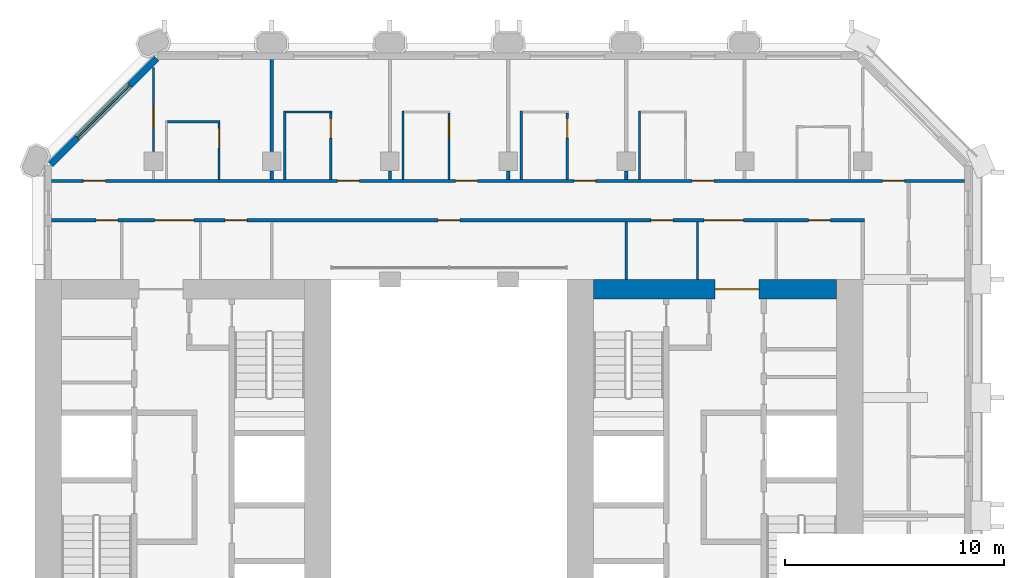
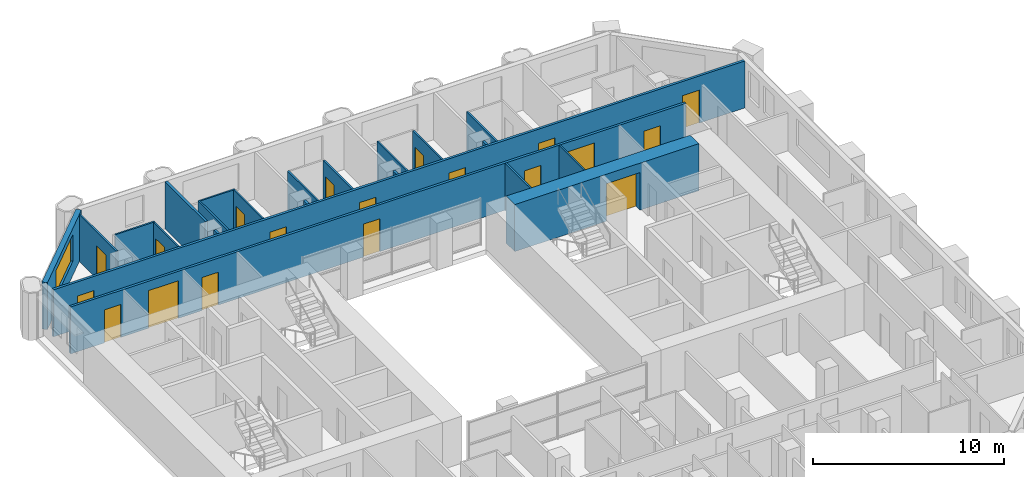
# One storey, part 10 of 13: 22 walls, 19 doors, 1 window, 20 openings.
"""IFC4 building model written with IfcOpenShell, lengths in metres."""

from ifc_helpers import new_model, si_unit, direction, frame, frame_2d, origin, place, context, subcontext, project, spatial, rectangle, extrude, material, layer, layer_set, type_object, element, fill, save


model = new_model("IFC4")

# Units and contexts
model_context = context("Model", 3, precision=1e-05, world=origin(), true_north=direction((0.0, 1.0)))
body_context = subcontext(model_context, "Body", "Model", "MODEL_VIEW")
ifc_project = project(units=[si_unit("LENGTHUNIT", "METRE"), si_unit("AREAUNIT", "SQUARE_METRE"), si_unit("VOLUMEUNIT", "CUBIC_METRE"), si_unit("PLANEANGLEUNIT", "RADIAN"), si_unit("MASSUNIT", "GRAM", prefix="KILO")], contexts=[model_context])

# Site, building, storey
site_placement = place(None, origin())
site = spatial("IfcSite", under=ifc_project, at=site_placement, CompositionType="ELEMENT")
building_placement = place(site_placement, origin())
building = spatial("IfcBuilding", under=site, at=building_placement, Name="Tabaq Tower and Sports Hall", CompositionType="ELEMENT")
storey_placement = place(building_placement, frame((0.0, 0.0, 159.39990234375)))
storey = spatial("IfcBuildingStorey", under=building, at=storey_placement, Name="L37", CompositionType="ELEMENT", Elevation=159.39990234375)

# Wall, opening, door
ifc_material_1 = material(Name="Concrete C50/60", Category="concrete")
ifc_layer_1 = layer(ifc_material_1, 0.89990234375)
ifc_layer_set_1 = layer_set([ifc_layer_1], Name="Core wall 900 Concrete C50/60")
wall_type_1 = type_object("IfcWallType", Name="Core wall 900 Concrete C50/60", PredefinedType="SOLIDWALL", material=ifc_layer_set_1)
wall_1_placement = place(storey_placement, frame((30.89990234375, 31.949951171875, 0.0), z_axis=(0.0, 0.0, 1.0), x_axis=(1.0, 0.0, 0.0)))
wall_1 = element("IfcWall", 1, at=wall_1_placement, inside=storey, type_object=wall_type_1, Name="Core wall E L37", PredefinedType="SOLIDWALL", context=body_context, shape_type="SweptSolid", body=[
    extrude(rectangle(XDim=11.10009765625, YDim=0.89990234375, at=frame_2d((5.550048828125, 0.0))), origin(), (0.0, 0.0, 1.0), 3.0),
])
opening_1_placement = place(wall_1_placement, frame((5.550048828125, 0.0, 0.0)))
opening_1 = element("IfcOpeningElement", 2, at=opening_1_placement, cuts=wall_1, Name="Opening PD-EL37-02", PredefinedType="OPENING", context=body_context, shape_type="SweptSolid", body=[
    extrude(rectangle(XDim=2.0, YDim=2.39990234375, at=frame_2d((1.0, 1.199951171875))), frame((0.0, 0.449951171875, 0.0), z_axis=(0.0, -1.0, 0.0), x_axis=(1.0, 0.0, 0.0)), (0.0, 0.0, 1.0), 0.89990234375),
])
ifc_material_2 = material(Name="Steel fire door", Category="steel")
door_type_1 = type_object("IfcDoorType", Name="Core entrance door 2000", OperationType="DOUBLE_DOOR_SINGLE_SWING", PredefinedType="DOOR", material=ifc_material_2)
door_1_placement = place(opening_1_placement, origin())
door_1 = element("IfcDoor", 3, at=door_1_placement, inside=storey, type_object=door_type_1, Name="Core entrance north E L37", OperationType="DOUBLE_DOOR_SINGLE_SWING", OverallHeight=2.39990234375, OverallWidth=2.0, PredefinedType="DOOR", context=body_context, shape_type="SweptSolid", body=[
    extrude(rectangle(XDim=2.0, YDim=2.39990234375, at=frame_2d((1.0, 1.199951171875))), frame((0.0, 0.02490234375, 0.0), z_axis=(0.0, -1.0, 0.0), x_axis=(1.0, 0.0, 0.0)), (0.0, 0.0, 1.0), 0.050048828125),
])
fill(opening_1, door_1)

ifc_material_3 = material(Name="Gypsum board on steel studs", Category="steel")
ifc_layer_2 = layer(ifc_material_3, 0.10009765625)
ifc_layer_set_2 = layer_set([ifc_layer_2], Name="Partition 100 Gypsum board")
wall_type_2 = type_object("IfcWallType", Name="Partition 100 Gypsum board", PredefinedType="PARTITIONING", material=ifc_layer_set_2)
wall_2_placement = place(storey_placement, frame((10.800048828125, 42.087890625, 0.0), z_axis=(0.0, 0.0, 1.0), x_axis=(0.0, -1.0, 0.0)))
wall_2 = element("IfcWall", 4, at=wall_2_placement, inside=storey, type_object=wall_type_2, Name="Partition wall L37", PredefinedType="PARTITIONING", context=body_context, shape_type="SweptSolid", body=[
    extrude(rectangle(XDim=3.8427734375, YDim=0.10009765625, at=frame_2d((1.92138671875, 0.0))), origin(), (0.0, 0.0, 1.0), 3.0),
])
opening_2_placement = place(wall_2_placement, frame((1.80029296875, 0.0, 0.0)))
opening_2 = element("IfcOpeningElement", 5, at=opening_2_placement, cuts=wall_2, Name="Opening L37-030", PredefinedType="OPENING", context=body_context, shape_type="SweptSolid", body=[
    extrude(rectangle(XDim=1.0, YDim=2.10009765625, at=frame_2d((0.5, 1.050048828125))), frame((0.0, 0.050048828125, 0.0), z_axis=(0.0, -1.0, 0.0), x_axis=(1.0, 0.0, 0.0)), (0.0, 0.0, 1.0), 0.10009765625),
])
ifc_material_4 = material(Name="Timber leaf in steel frame", Category="steel")
door_type_2 = type_object("IfcDoorType", Name="Internal door 1000 left hand", OperationType="SINGLE_SWING_LEFT", PredefinedType="DOOR", material=ifc_material_4)
door_2_placement = place(opening_2_placement, origin())
door_2 = element("IfcDoor", 6, at=door_2_placement, inside=storey, type_object=door_type_2, Name="Internal door L37-030", OperationType="SINGLE_SWING_LEFT", OverallHeight=2.10009765625, OverallWidth=1.0, PredefinedType="DOOR", context=body_context, shape_type="SweptSolid", body=[
    extrude(rectangle(XDim=1.0, YDim=2.10009765625, at=frame_2d((0.5, 1.050048828125))), frame((0.0, 0.02490234375, 0.0), z_axis=(0.0, -1.0, 0.0), x_axis=(1.0, 0.0, 0.0)), (0.0, 0.0, 1.0), 0.050048828125),
])
fill(opening_2, door_2)

# Wall
wall_3_placement = place(storey_placement, frame((11.449951171875, 39.60009765625, 0.0), z_axis=(0.0, 0.0, 1.0), x_axis=(1.0, 0.0, 0.0)))
element("IfcWall", 7, at=wall_3_placement, inside=storey, type_object=wall_type_2, Name="Partition wall L37", PredefinedType="PARTITIONING", context=body_context, shape_type="SweptSolid", body=[
    extrude(rectangle(XDim=2.400146484375, YDim=0.10009765625, at=frame_2d((1.2001953125, 0.0))), origin(), (0.0, 0.0, 1.0), 3.0),
])

# Wall, opening, door
wall_4_placement = place(storey_placement, frame((13.800048828125, 39.550048828125, 0.0), z_axis=(0.0, 0.0, 1.0), x_axis=(0.0, -1.0, 0.0)))
wall_4 = element("IfcWall", 8, at=wall_4_placement, inside=storey, type_object=wall_type_2, Name="Partition wall L37", PredefinedType="PARTITIONING", context=body_context, shape_type="SweptSolid", body=[
    extrude(rectangle(XDim=2.574951171875, YDim=0.10009765625, at=frame_2d((1.28759765625, 0.0))), origin(), (0.0, 0.0, 1.0), 3.0),
])
opening_3_placement = place(wall_4_placement, frame((0.25, 0.0, 0.0)))
opening_3 = element("IfcOpeningElement", 9, at=opening_3_placement, cuts=wall_4, Name="Opening L37-002", PredefinedType="OPENING", context=body_context, shape_type="SweptSolid", body=[
    extrude(rectangle(XDim=0.89990234375, YDim=2.10009765625, at=frame_2d((0.449951171875, 1.050048828125))), frame((0.0, 0.050048828125, 0.0), z_axis=(0.0, -1.0, 0.0), x_axis=(1.0, 0.0, 0.0)), (0.0, 0.0, 1.0), 0.10009765625),
])
ifc_material_5 = material(Name="Timber leaf in steel frame", Category="steel")
door_type_3 = type_object("IfcDoorType", Name="Internal door 900 left hand", OperationType="SINGLE_SWING_LEFT", PredefinedType="DOOR", material=ifc_material_5)
door_3_placement = place(opening_3_placement, origin())
door_3 = element("IfcDoor", 10, at=door_3_placement, inside=storey, type_object=door_type_3, Name="Internal door L37-002", OperationType="SINGLE_SWING_LEFT", OverallHeight=2.10009765625, OverallWidth=0.89990234375, PredefinedType="DOOR", context=body_context, shape_type="SweptSolid", body=[
    extrude(rectangle(XDim=0.89990234375, YDim=2.10009765625, at=frame_2d((0.449951171875, 1.050048828125))), frame((0.0, 0.02490234375, 0.0), z_axis=(0.0, -1.0, 0.0), x_axis=(1.0, 0.0, 0.0)), (0.0, 0.0, 1.0), 0.050048828125),
])
fill(opening_3, door_3)

# Walls
wall_5_placement = place(storey_placement, frame((16.800048828125, 36.97509765625, 0.0), z_axis=(0.0, 0.0, 1.0), x_axis=(0.0, 1.0, 0.0)))
element("IfcWall", 11, at=wall_5_placement, inside=storey, type_object=wall_type_2, Name="Partition wall L37", PredefinedType="PARTITIONING", context=body_context, shape_type="SweptSolid", body=[
    extrude(rectangle(XDim=3.125, YDim=0.10009765625, at=frame_2d((1.5625, 0.0))), origin(), (0.0, 0.0, 1.0), 3.0),
])
wall_6_placement = place(storey_placement, frame((16.85009765625, 40.050048828125, 0.0), z_axis=(0.0, 0.0, 1.0), x_axis=(1.0, 0.0, 0.0)))
element("IfcWall", 12, at=wall_6_placement, inside=storey, type_object=wall_type_2, Name="Partition wall L37", PredefinedType="PARTITIONING", context=body_context, shape_type="SweptSolid", body=[
    extrude(rectangle(XDim=2.099853515625, YDim=0.10009765625, at=frame_2d((1.0498046875, 0.0))), origin(), (0.0, 0.0, 1.0), 3.0),
])

# Wall, opening, door
wall_7_placement = place(storey_placement, frame((18.89990234375, 40.0, 0.0), z_axis=(0.0, 0.0, 1.0), x_axis=(0.0, -1.0, 0.0)))
wall_7 = element("IfcWall", 13, at=wall_7_placement, inside=storey, type_object=wall_type_2, Name="Partition wall L37", PredefinedType="PARTITIONING", context=body_context, shape_type="SweptSolid", body=[
    extrude(rectangle(XDim=3.02490234375, YDim=0.10009765625, at=frame_2d((1.512451171875, 0.0))), origin(), (0.0, 0.0, 1.0), 3.0),
])
opening_4_placement = place(wall_7_placement, frame((0.25, 0.0, 0.0)))
opening_4 = element("IfcOpeningElement", 14, at=opening_4_placement, cuts=wall_7, Name="Opening L37-003", PredefinedType="OPENING", context=body_context, shape_type="SweptSolid", body=[
    extrude(rectangle(XDim=0.89990234375, YDim=2.10009765625, at=frame_2d((0.449951171875, 1.050048828125))), frame((0.0, 0.050048828125, 0.0), z_axis=(0.0, -1.0, 0.0), x_axis=(1.0, 0.0, 0.0)), (0.0, 0.0, 1.0), 0.10009765625),
])
door_4_placement = place(opening_4_placement, origin())
door_4 = element("IfcDoor", 15, at=door_4_placement, inside=storey, type_object=door_type_3, Name="Internal door L37-003", OperationType="SINGLE_SWING_LEFT", OverallHeight=2.10009765625, OverallWidth=0.89990234375, PredefinedType="DOOR", context=body_context, shape_type="SweptSolid", body=[
    extrude(rectangle(XDim=0.89990234375, YDim=2.10009765625, at=frame_2d((0.449951171875, 1.050048828125))), frame((0.0, 0.02490234375, 0.0), z_axis=(0.0, -1.0, 0.0), x_axis=(1.0, 0.0, 0.0)), (0.0, 0.0, 1.0), 0.050048828125),
])
fill(opening_4, door_4)

# Wall
wall_8_placement = place(storey_placement, frame((22.199951171875, 36.97509765625, 0.0), z_axis=(0.0, 0.0, 1.0), x_axis=(0.0, 1.0, 0.0)))
element("IfcWall", 16, at=wall_8_placement, inside=storey, type_object=wall_type_2, Name="Partition wall L37", PredefinedType="PARTITIONING", context=body_context, shape_type="SweptSolid", body=[
    extrude(rectangle(XDim=3.125, YDim=0.10009765625, at=frame_2d((1.5625, 0.0))), origin(), (0.0, 0.0, 1.0), 3.0),
])

# Wall, opening, door
wall_9_placement = place(storey_placement, frame((24.300048828125, 40.0, 0.0), z_axis=(0.0, 0.0, 1.0), x_axis=(0.0, -1.0, 0.0)))
wall_9 = element("IfcWall", 17, at=wall_9_placement, inside=storey, type_object=wall_type_2, Name="Partition wall L37", PredefinedType="PARTITIONING", context=body_context, shape_type="SweptSolid", body=[
    extrude(rectangle(XDim=3.02490234375, YDim=0.10009765625, at=frame_2d((1.512451171875, 0.0))), origin(), (0.0, 0.0, 1.0), 3.0),
])
opening_5_placement = place(wall_9_placement, frame((0.25, 0.0, 0.0)))
opening_5 = element("IfcOpeningElement", 18, at=opening_5_placement, cuts=wall_9, Name="Opening L37-004", PredefinedType="OPENING", context=body_context, shape_type="SweptSolid", body=[
    extrude(rectangle(XDim=0.89990234375, YDim=2.10009765625, at=frame_2d((0.449951171875, 1.050048828125))), frame((0.0, 0.050048828125, 0.0), z_axis=(0.0, -1.0, 0.0), x_axis=(1.0, 0.0, 0.0)), (0.0, 0.0, 1.0), 0.10009765625),
])
ifc_material_6 = material(Name="Timber leaf in steel frame", Category="steel")
door_type_4 = type_object("IfcDoorType", Name="Internal door 900 right hand", OperationType="SINGLE_SWING_RIGHT", PredefinedType="DOOR", material=ifc_material_6)
door_5_placement = place(opening_5_placement, origin())
door_5 = element("IfcDoor", 19, at=door_5_placement, inside=storey, type_object=door_type_4, Name="Internal door L37-004", OperationType="SINGLE_SWING_RIGHT", OverallHeight=2.10009765625, OverallWidth=0.89990234375, PredefinedType="DOOR", context=body_context, shape_type="SweptSolid", body=[
    extrude(rectangle(XDim=0.89990234375, YDim=2.10009765625, at=frame_2d((0.449951171875, 1.050048828125))), frame((0.0, 0.02490234375, 0.0), z_axis=(0.0, -1.0, 0.0), x_axis=(1.0, 0.0, 0.0)), (0.0, 0.0, 1.0), 0.050048828125),
])
fill(opening_5, door_5)

# Wall
wall_10_placement = place(storey_placement, frame((27.60009765625, 36.97509765625, 0.0), z_axis=(0.0, 0.0, 1.0), x_axis=(0.0, 1.0, 0.0)))
element("IfcWall", 20, at=wall_10_placement, inside=storey, type_object=wall_type_2, Name="Partition wall L37", PredefinedType="PARTITIONING", context=body_context, shape_type="SweptSolid", body=[
    extrude(rectangle(XDim=3.125, YDim=0.10009765625, at=frame_2d((1.5625, 0.0))), origin(), (0.0, 0.0, 1.0), 3.0),
])

# Wall, opening, door
wall_11_placement = place(storey_placement, frame((29.699951171875, 40.0, 0.0), z_axis=(0.0, 0.0, 1.0), x_axis=(0.0, -1.0, 0.0)))
wall_11 = element("IfcWall", 21, at=wall_11_placement, inside=storey, type_object=wall_type_2, Name="Partition wall L37", PredefinedType="PARTITIONING", context=body_context, shape_type="SweptSolid", body=[
    extrude(rectangle(XDim=3.02490234375, YDim=0.10009765625, at=frame_2d((1.512451171875, 0.0))), origin(), (0.0, 0.0, 1.0), 3.0),
])
opening_6_placement = place(wall_11_placement, frame((0.25, 0.0, 0.0)))
opening_6 = element("IfcOpeningElement", 22, at=opening_6_placement, cuts=wall_11, Name="Opening L37-005", PredefinedType="OPENING", context=body_context, shape_type="SweptSolid", body=[
    extrude(rectangle(XDim=0.89990234375, YDim=2.10009765625, at=frame_2d((0.449951171875, 1.050048828125))), frame((0.0, 0.050048828125, 0.0), z_axis=(0.0, -1.0, 0.0), x_axis=(1.0, 0.0, 0.0)), (0.0, 0.0, 1.0), 0.10009765625),
])
door_6_placement = place(opening_6_placement, origin())
door_6 = element("IfcDoor", 23, at=door_6_placement, inside=storey, type_object=door_type_4, Name="Internal door L37-005", OperationType="SINGLE_SWING_RIGHT", OverallHeight=2.10009765625, OverallWidth=0.89990234375, PredefinedType="DOOR", context=body_context, shape_type="SweptSolid", body=[
    extrude(rectangle(XDim=0.89990234375, YDim=2.10009765625, at=frame_2d((0.449951171875, 1.050048828125))), frame((0.0, 0.02490234375, 0.0), z_axis=(0.0, -1.0, 0.0), x_axis=(1.0, 0.0, 0.0)), (0.0, 0.0, 1.0), 0.050048828125),
])
fill(opening_6, door_6)

# Walls
wall_12_placement = place(storey_placement, frame((33.0, 36.97509765625, 0.0), z_axis=(0.0, 0.0, 1.0), x_axis=(0.0, 1.0, 0.0)))
element("IfcWall", 24, at=wall_12_placement, inside=storey, type_object=wall_type_2, Name="Partition wall L37", PredefinedType="PARTITIONING", context=body_context, shape_type="SweptSolid", body=[
    extrude(rectangle(XDim=3.125, YDim=0.10009765625, at=frame_2d((1.5625, 0.0))), origin(), (0.0, 0.0, 1.0), 3.0),
])
for number, where, z_axis, x_axis, name in (
    (25, (32.39990234375, 32.39990234375, 0.0), (0.0, 0.0, 1.0), (0.0, 1.0, 0.0), "Partition wall L37"),
    (26, (35.64990234375, 35.02490234375, 0.0), (0.0, 0.0, 1.0), (0.0, -1.0, 0.0), "Partition wall L37"),
):
    element("IfcWall", number, at=place(storey_placement, frame(where, z_axis=z_axis, x_axis=x_axis)), inside=storey, type_object=wall_type_2, Name=name, PredefinedType="PARTITIONING", context=body_context, shape_type="SweptSolid", body=[
        extrude(rectangle(XDim=2.625, YDim=0.10009765625, at=frame_2d((1.3125, 0.0))), origin(), (0.0, 0.0, 1.0), 3.0),
    ])
ifc_material_7 = material(Name="Blockwork", Category="masonry")
ifc_layer_3 = layer(ifc_material_7, 0.14990234375)
ifc_layer_set_3 = layer_set([ifc_layer_3], Name="Separating wall 150 Blockwork")
wall_type_3 = type_object("IfcWallType", Name="Separating wall 150 Blockwork", PredefinedType="PARTITIONING", material=ifc_layer_set_3)
wall_13_placement = place(storey_placement, frame((16.199951171875, 36.97509765625, 0.0), z_axis=(0.0, 0.0, 1.0), x_axis=(0.0, 1.0, 0.0)))
element("IfcWall", 27, at=wall_13_placement, inside=storey, type_object=wall_type_3, Name="Separating wall L37", PredefinedType="PARTITIONING", context=body_context, shape_type="SweptSolid", body=[
    extrude(rectangle(XDim=0.3798828125, YDim=0.14990234375, at=frame_2d((0.18994140625, 0.0))), origin(), (0.0, 0.0, 1.0), 3.0),
])
wall_14_placement = place(storey_placement, frame((16.199951171875, 38.2451171875, 0.0), z_axis=(0.0, 0.0, 1.0), x_axis=(0.0, 1.0, 0.0)))
element("IfcWall", 28, at=wall_14_placement, inside=storey, type_object=wall_type_3, Name="Separating wall L37", PredefinedType="PARTITIONING", context=body_context, shape_type="SweptSolid", body=[
    extrude(rectangle(XDim=4.203857421875, YDim=0.14990234375, at=frame_2d((2.10205078125, 0.0))), origin(), (0.0, 0.0, 1.0), 3.0),
])
for number, where, z_axis, x_axis, name in (
    (29, (21.60009765625, 36.97509765625, 0.0), (0.0, 0.0, 1.0), (0.0, 1.0, 0.0), "Separating wall L37"),
    (30, (27.0, 36.97509765625, 0.0), (0.0, 0.0, 1.0), (0.0, 1.0, 0.0), "Separating wall L37"),
    (31, (32.39990234375, 36.97509765625, 0.0), (0.0, 0.0, 1.0), (0.0, 1.0, 0.0), "Separating wall L37"),
):
    element("IfcWall", number, at=place(storey_placement, frame(where, z_axis=z_axis, x_axis=x_axis)), inside=storey, type_object=wall_type_3, Name=name, PredefinedType="PARTITIONING", context=body_context, shape_type="SweptSolid", body=[
        extrude(rectangle(XDim=0.3798828125, YDim=0.14990234375, at=frame_2d((0.18994140625, 0.0))), origin(), (0.0, 0.0, 1.0), 3.0),
    ])

# Wall, openings, doors
wall_15_placement = place(storey_placement, frame((47.84912109375, 36.89990234375, 0.0), z_axis=(0.0, 0.0, 1.0), x_axis=(-1.0, 0.0, 0.0)))
wall_15 = element("IfcWall", 32, at=wall_15_placement, inside=storey, type_object=wall_type_3, Name="Separating wall L37", PredefinedType="PARTITIONING", context=body_context, shape_type="SweptSolid", body=[
    extrude(rectangle(XDim=41.6982421875, YDim=0.14990234375, at=frame_2d((20.84912109375, 0.0))), origin(), (0.0, 0.0, 1.0), 3.0),
])
opening_7_placement = place(wall_15_placement, frame((39.2490234375, 0.0, 0.0)))
opening_7 = element("IfcOpeningElement", 33, at=opening_7_placement, cuts=wall_15, Name="Opening L37-031", PredefinedType="OPENING", context=body_context, shape_type="SweptSolid", body=[
    extrude(rectangle(XDim=1.0, YDim=2.10009765625, at=frame_2d((0.5, 1.050048828125))), frame((0.0, 0.074951171875, 0.0), z_axis=(0.0, -1.0, 0.0), x_axis=(1.0, 0.0, 0.0)), (0.0, 0.0, 1.0), 0.14990234375),
])
opening_8_placement = place(wall_15_placement, frame((27.64892578125, 0.0, 0.0)))
opening_8 = element("IfcOpeningElement", 34, at=opening_8_placement, cuts=wall_15, Name="Opening L37-032", PredefinedType="OPENING", context=body_context, shape_type="SweptSolid", body=[
    extrude(rectangle(XDim=1.0, YDim=2.10009765625, at=frame_2d((0.5, 1.050048828125))), frame((0.0, 0.074951171875, 0.0), z_axis=(0.0, -1.0, 0.0), x_axis=(1.0, 0.0, 0.0)), (0.0, 0.0, 1.0), 0.14990234375),
])
opening_9_placement = place(wall_15_placement, frame((22.2490234375, 0.0, 0.0)))
opening_9 = element("IfcOpeningElement", 35, at=opening_9_placement, cuts=wall_15, Name="Opening L37-033", PredefinedType="OPENING", context=body_context, shape_type="SweptSolid", body=[
    extrude(rectangle(XDim=1.0, YDim=2.10009765625, at=frame_2d((0.5, 1.050048828125))), frame((0.0, 0.074951171875, 0.0), z_axis=(0.0, -1.0, 0.0), x_axis=(1.0, 0.0, 0.0)), (0.0, 0.0, 1.0), 0.14990234375),
])
opening_10_placement = place(wall_15_placement, frame((16.84912109375, 0.0, 0.0)))
opening_10 = element("IfcOpeningElement", 36, at=opening_10_placement, cuts=wall_15, Name="Opening L37-034", PredefinedType="OPENING", context=body_context, shape_type="SweptSolid", body=[
    extrude(rectangle(XDim=1.0, YDim=2.10009765625, at=frame_2d((0.5, 1.050048828125))), frame((0.0, 0.074951171875, 0.0), z_axis=(0.0, -1.0, 0.0), x_axis=(1.0, 0.0, 0.0)), (0.0, 0.0, 1.0), 0.14990234375),
])
opening_11_placement = place(wall_15_placement, frame((11.448974609375, 0.0, 0.0)))
opening_11 = element("IfcOpeningElement", 37, at=opening_11_placement, cuts=wall_15, Name="Opening L37-035", PredefinedType="OPENING", context=body_context, shape_type="SweptSolid", body=[
    extrude(rectangle(XDim=1.0, YDim=2.10009765625, at=frame_2d((0.5, 1.050048828125))), frame((0.0, 0.074951171875, 0.0), z_axis=(0.0, -1.0, 0.0), x_axis=(1.0, 0.0, 0.0)), (0.0, 0.0, 1.0), 0.14990234375),
])
opening_12_placement = place(wall_15_placement, frame((2.743896484375, 0.0, 0.0)))
opening_12 = element("IfcOpeningElement", 38, at=opening_12_placement, cuts=wall_15, Name="Opening L37-037", PredefinedType="OPENING", context=body_context, shape_type="SweptSolid", body=[
    extrude(rectangle(XDim=1.0, YDim=2.10009765625, at=frame_2d((0.5, 1.050048828125))), frame((0.0, 0.074951171875, 0.0), z_axis=(0.0, -1.0, 0.0), x_axis=(1.0, 0.0, 0.0)), (0.0, 0.0, 1.0), 0.14990234375),
])
ifc_material_8 = material(Name="Steel fire door", Category="steel")
door_type_5 = type_object("IfcDoorType", Name="Entrance door 1000 left hand", OperationType="SINGLE_SWING_LEFT", PredefinedType="DOOR", material=ifc_material_8)
door_7_placement = place(opening_10_placement, origin())
door_7 = element("IfcDoor", 39, at=door_7_placement, inside=storey, type_object=door_type_5, Name="Entrance door L37-034", OperationType="SINGLE_SWING_LEFT", OverallHeight=2.10009765625, OverallWidth=1.0, PredefinedType="DOOR", context=body_context, shape_type="SweptSolid", body=[
    extrude(rectangle(XDim=1.0, YDim=2.10009765625, at=frame_2d((0.5, 1.050048828125))), frame((0.0, 0.02490234375, 0.0), z_axis=(0.0, -1.0, 0.0), x_axis=(1.0, 0.0, 0.0)), (0.0, 0.0, 1.0), 0.050048828125),
])
fill(opening_10, door_7)
door_8_placement = place(opening_11_placement, origin())
door_8 = element("IfcDoor", 40, at=door_8_placement, inside=storey, type_object=door_type_5, Name="Entrance door L37-035", OperationType="SINGLE_SWING_LEFT", OverallHeight=2.10009765625, OverallWidth=1.0, PredefinedType="DOOR", context=body_context, shape_type="SweptSolid", body=[
    extrude(rectangle(XDim=1.0, YDim=2.10009765625, at=frame_2d((0.5, 1.050048828125))), frame((0.0, 0.02490234375, 0.0), z_axis=(0.0, -1.0, 0.0), x_axis=(1.0, 0.0, 0.0)), (0.0, 0.0, 1.0), 0.050048828125),
])
fill(opening_11, door_8)
door_9_placement = place(opening_12_placement, origin())
door_9 = element("IfcDoor", 41, at=door_9_placement, inside=storey, type_object=door_type_5, Name="Entrance door L37-037", OperationType="SINGLE_SWING_LEFT", OverallHeight=2.10009765625, OverallWidth=1.0, PredefinedType="DOOR", context=body_context, shape_type="SweptSolid", body=[
    extrude(rectangle(XDim=1.0, YDim=2.10009765625, at=frame_2d((0.5, 1.050048828125))), frame((0.0, 0.02490234375, 0.0), z_axis=(0.0, -1.0, 0.0), x_axis=(1.0, 0.0, 0.0)), (0.0, 0.0, 1.0), 0.050048828125),
])
fill(opening_12, door_9)
ifc_material_9 = material(Name="Steel fire door", Category="steel")
door_type_6 = type_object("IfcDoorType", Name="Entrance door 1000 right hand", OperationType="SINGLE_SWING_RIGHT", PredefinedType="DOOR", material=ifc_material_9)
door_10_placement = place(opening_7_placement, origin())
door_10 = element("IfcDoor", 42, at=door_10_placement, inside=storey, type_object=door_type_6, Name="Entrance door L37-031", OperationType="SINGLE_SWING_RIGHT", OverallHeight=2.10009765625, OverallWidth=1.0, PredefinedType="DOOR", context=body_context, shape_type="SweptSolid", body=[
    extrude(rectangle(XDim=1.0, YDim=2.10009765625, at=frame_2d((0.5, 1.050048828125))), frame((0.0, 0.02490234375, 0.0), z_axis=(0.0, -1.0, 0.0), x_axis=(1.0, 0.0, 0.0)), (0.0, 0.0, 1.0), 0.050048828125),
])
fill(opening_7, door_10)
door_11_placement = place(opening_8_placement, origin())
door_11 = element("IfcDoor", 43, at=door_11_placement, inside=storey, type_object=door_type_6, Name="Entrance door L37-032", OperationType="SINGLE_SWING_RIGHT", OverallHeight=2.10009765625, OverallWidth=1.0, PredefinedType="DOOR", context=body_context, shape_type="SweptSolid", body=[
    extrude(rectangle(XDim=1.0, YDim=2.10009765625, at=frame_2d((0.5, 1.050048828125))), frame((0.0, 0.02490234375, 0.0), z_axis=(0.0, -1.0, 0.0), x_axis=(1.0, 0.0, 0.0)), (0.0, 0.0, 1.0), 0.050048828125),
])
fill(opening_8, door_11)
door_12_placement = place(opening_9_placement, origin())
door_12 = element("IfcDoor", 44, at=door_12_placement, inside=storey, type_object=door_type_6, Name="Entrance door L37-033", OperationType="SINGLE_SWING_RIGHT", OverallHeight=2.10009765625, OverallWidth=1.0, PredefinedType="DOOR", context=body_context, shape_type="SweptSolid", body=[
    extrude(rectangle(XDim=1.0, YDim=2.10009765625, at=frame_2d((0.5, 1.050048828125))), frame((0.0, 0.02490234375, 0.0), z_axis=(0.0, -1.0, 0.0), x_axis=(1.0, 0.0, 0.0)), (0.0, 0.0, 1.0), 0.050048828125),
])
fill(opening_9, door_12)

wall_16_placement = place(storey_placement, frame((43.27490234375, 35.10009765625, 0.0), z_axis=(0.0, 0.0, 1.0), x_axis=(-1.0, 0.0, 0.0)))
wall_16 = element("IfcWall", 45, at=wall_16_placement, inside=storey, type_object=wall_type_3, Name="Separating wall L37", PredefinedType="PARTITIONING", context=body_context, shape_type="SweptSolid", body=[
    extrude(rectangle(XDim=37.1240234375, YDim=0.14990234375, at=frame_2d((18.56201171875, 0.0))), origin(), (0.0, 0.0, 1.0), 3.0),
])
opening_13_placement = place(wall_16_placement, frame((18.47509765625, 0.0, 0.0)))
opening_13 = element("IfcOpeningElement", 46, at=opening_13_placement, cuts=wall_16, Name="Opening L37-008", PredefinedType="OPENING", context=body_context, shape_type="SweptSolid", body=[
    extrude(rectangle(XDim=1.0, YDim=2.10009765625, at=frame_2d((0.5, 1.050048828125))), frame((0.0, 0.074951171875, 0.0), z_axis=(0.0, -1.0, 0.0), x_axis=(1.0, 0.0, 0.0)), (0.0, 0.0, 1.0), 0.14990234375),
])
opening_14_placement = place(wall_16_placement, frame((34.094970703125, 0.0, 0.0)))
opening_14 = element("IfcOpeningElement", 47, at=opening_14_placement, cuts=wall_16, Name="Opening L37-010", PredefinedType="OPENING", context=body_context, shape_type="SweptSolid", body=[
    extrude(rectangle(XDim=1.0, YDim=2.10009765625, at=frame_2d((0.5, 1.050048828125))), frame((0.0, 0.074951171875, 0.0), z_axis=(0.0, -1.0, 0.0), x_axis=(1.0, 0.0, 0.0)), (0.0, 0.0, 1.0), 0.14990234375),
])
opening_15_placement = place(wall_16_placement, frame((8.75, 0.0, 0.0)))
opening_15 = element("IfcOpeningElement", 48, at=opening_15_placement, cuts=wall_16, Name="Opening L37-011", PredefinedType="OPENING", context=body_context, shape_type="SweptSolid", body=[
    extrude(rectangle(XDim=1.0, YDim=2.10009765625, at=frame_2d((0.5, 1.050048828125))), frame((0.0, 0.074951171875, 0.0), z_axis=(0.0, -1.0, 0.0), x_axis=(1.0, 0.0, 0.0)), (0.0, 0.0, 1.0), 0.14990234375),
])
opening_16_placement = place(wall_16_placement, frame((1.550048828125, 0.0, 0.0)))
opening_16 = element("IfcOpeningElement", 49, at=opening_16_placement, cuts=wall_16, Name="Opening L37-012", PredefinedType="OPENING", context=body_context, shape_type="SweptSolid", body=[
    extrude(rectangle(XDim=1.0, YDim=2.10009765625, at=frame_2d((0.5, 1.050048828125))), frame((0.0, 0.074951171875, 0.0), z_axis=(0.0, -1.0, 0.0), x_axis=(1.0, 0.0, 0.0)), (0.0, 0.0, 1.0), 0.14990234375),
])
opening_17_placement = place(wall_16_placement, frame((28.199951171875, 0.0, 0.0)))
opening_17 = element("IfcOpeningElement", 50, at=opening_17_placement, cuts=wall_16, Name="Opening L37-013", PredefinedType="OPENING", context=body_context, shape_type="SweptSolid", body=[
    extrude(rectangle(XDim=1.0, YDim=2.10009765625, at=frame_2d((0.5, 1.050048828125))), frame((0.0, 0.074951171875, 0.0), z_axis=(0.0, -1.0, 0.0), x_axis=(1.0, 0.0, 0.0)), (0.0, 0.0, 1.0), 0.14990234375),
])
opening_18_placement = place(wall_16_placement, frame((30.625, 0.0, 0.0)))
opening_18 = element("IfcOpeningElement", 51, at=opening_18_placement, cuts=wall_16, Name="Opening L37-039", PredefinedType="OPENING", context=body_context, shape_type="SweptSolid", body=[
    extrude(rectangle(XDim=1.800048828125, YDim=2.39990234375, at=frame_2d((0.89990234375, 1.199951171875))), frame((0.0, 0.074951171875, 0.0), z_axis=(0.0, -1.0, 0.0), x_axis=(1.0, 0.0, 0.0)), (0.0, 0.0, 1.0), 0.14990234375),
])
opening_19_placement = place(wall_16_placement, frame((5.52490234375, 0.0, 0.0)))
opening_19 = element("IfcOpeningElement", 52, at=opening_19_placement, cuts=wall_16, Name="Opening L37-040", PredefinedType="OPENING", context=body_context, shape_type="SweptSolid", body=[
    extrude(rectangle(XDim=1.800048828125, YDim=2.39990234375, at=frame_2d((0.89990234375, 1.199951171875))), frame((0.0, 0.074951171875, 0.0), z_axis=(0.0, -1.0, 0.0), x_axis=(1.0, 0.0, 0.0)), (0.0, 0.0, 1.0), 0.14990234375),
])
door_13_placement = place(opening_14_placement, origin())
door_13 = element("IfcDoor", 53, at=door_13_placement, inside=storey, type_object=door_type_2, Name="Internal door L37-010", OperationType="SINGLE_SWING_LEFT", OverallHeight=2.10009765625, OverallWidth=1.0, PredefinedType="DOOR", context=body_context, shape_type="SweptSolid", body=[
    extrude(rectangle(XDim=1.0, YDim=2.10009765625, at=frame_2d((0.5, 1.050048828125))), frame((0.0, 0.02490234375, 0.0), z_axis=(0.0, -1.0, 0.0), x_axis=(1.0, 0.0, 0.0)), (0.0, 0.0, 1.0), 0.050048828125),
])
fill(opening_14, door_13)
door_14_placement = place(opening_15_placement, origin())
door_14 = element("IfcDoor", 54, at=door_14_placement, inside=storey, type_object=door_type_2, Name="Internal door L37-011", OperationType="SINGLE_SWING_LEFT", OverallHeight=2.10009765625, OverallWidth=1.0, PredefinedType="DOOR", context=body_context, shape_type="SweptSolid", body=[
    extrude(rectangle(XDim=1.0, YDim=2.10009765625, at=frame_2d((0.5, 1.050048828125))), frame((0.0, 0.02490234375, 0.0), z_axis=(0.0, -1.0, 0.0), x_axis=(1.0, 0.0, 0.0)), (0.0, 0.0, 1.0), 0.050048828125),
])
fill(opening_15, door_14)
ifc_material_10 = material(Name="Timber leaf in steel frame", Category="steel")
door_type_7 = type_object("IfcDoorType", Name="Internal door 1000 right hand", OperationType="SINGLE_SWING_RIGHT", PredefinedType="DOOR", material=ifc_material_10)
door_15_placement = place(opening_13_placement, origin())
door_15 = element("IfcDoor", 55, at=door_15_placement, inside=storey, type_object=door_type_7, Name="Internal door L37-008", OperationType="SINGLE_SWING_RIGHT", OverallHeight=2.10009765625, OverallWidth=1.0, PredefinedType="DOOR", context=body_context, shape_type="SweptSolid", body=[
    extrude(rectangle(XDim=1.0, YDim=2.10009765625, at=frame_2d((0.5, 1.050048828125))), frame((0.0, 0.02490234375, 0.0), z_axis=(0.0, -1.0, 0.0), x_axis=(1.0, 0.0, 0.0)), (0.0, 0.0, 1.0), 0.050048828125),
])
fill(opening_13, door_15)
door_16_placement = place(opening_16_placement, origin())
door_16 = element("IfcDoor", 56, at=door_16_placement, inside=storey, type_object=door_type_7, Name="Internal door L37-012", OperationType="SINGLE_SWING_RIGHT", OverallHeight=2.10009765625, OverallWidth=1.0, PredefinedType="DOOR", context=body_context, shape_type="SweptSolid", body=[
    extrude(rectangle(XDim=1.0, YDim=2.10009765625, at=frame_2d((0.5, 1.050048828125))), frame((0.0, 0.02490234375, 0.0), z_axis=(0.0, -1.0, 0.0), x_axis=(1.0, 0.0, 0.0)), (0.0, 0.0, 1.0), 0.050048828125),
])
fill(opening_16, door_16)
door_17_placement = place(opening_17_placement, origin())
door_17 = element("IfcDoor", 57, at=door_17_placement, inside=storey, type_object=door_type_7, Name="Internal door L37-013", OperationType="SINGLE_SWING_RIGHT", OverallHeight=2.10009765625, OverallWidth=1.0, PredefinedType="DOOR", context=body_context, shape_type="SweptSolid", body=[
    extrude(rectangle(XDim=1.0, YDim=2.10009765625, at=frame_2d((0.5, 1.050048828125))), frame((0.0, 0.02490234375, 0.0), z_axis=(0.0, -1.0, 0.0), x_axis=(1.0, 0.0, 0.0)), (0.0, 0.0, 1.0), 0.050048828125),
])
fill(opening_17, door_17)
ifc_material_11 = material(Name="Timber leaf in steel frame", Category="steel")
door_type_8 = type_object("IfcDoorType", Name="Internal door 1800", OperationType="DOUBLE_DOOR_SINGLE_SWING", PredefinedType="DOOR", material=ifc_material_11)
door_18_placement = place(opening_18_placement, origin())
door_18 = element("IfcDoor", 58, at=door_18_placement, inside=storey, type_object=door_type_8, Name="Internal door L37-039", OperationType="DOUBLE_DOOR_SINGLE_SWING", OverallHeight=2.39990234375, OverallWidth=1.800048828125, PredefinedType="DOOR", context=body_context, shape_type="SweptSolid", body=[
    extrude(rectangle(XDim=1.800048828125, YDim=2.39990234375, at=frame_2d((0.89990234375, 1.199951171875))), frame((0.0, 0.02490234375, 0.0), z_axis=(0.0, -1.0, 0.0), x_axis=(1.0, 0.0, 0.0)), (0.0, 0.0, 1.0), 0.050048828125),
])
fill(opening_18, door_18)
door_19_placement = place(opening_19_placement, origin())
door_19 = element("IfcDoor", 59, at=door_19_placement, inside=storey, type_object=door_type_8, Name="Internal door L37-040", OperationType="DOUBLE_DOOR_SINGLE_SWING", OverallHeight=2.39990234375, OverallWidth=1.800048828125, PredefinedType="DOOR", context=body_context, shape_type="SweptSolid", body=[
    extrude(rectangle(XDim=1.800048828125, YDim=2.39990234375, at=frame_2d((0.89990234375, 1.199951171875))), frame((0.0, 0.02490234375, 0.0), z_axis=(0.0, -1.0, 0.0), x_axis=(1.0, 0.0, 0.0)), (0.0, 0.0, 1.0), 0.050048828125),
])
fill(opening_19, door_19)

# Wall, opening, window
ifc_material_12 = material(Name="White precast concrete C60/75", Category="concrete")
ifc_layer_4 = layer(ifc_material_12, 0.300048828125)
ifc_layer_set_4 = layer_set([ifc_layer_4], Name="White precast concrete C60/75 external wall 300")
wall_type_4 = type_object("IfcWallType", Name="White precast concrete C60/75 external wall 300", PredefinedType="SOLIDWALL", material=ifc_layer_set_4)
wall_17_placement = place(storey_placement, frame((10.949462890625, 42.5009765625, 0.0), z_axis=(0.0, 0.0, 1.0), x_axis=(-0.707106781187, -0.707106781187, 0.0)))
wall_17 = element("IfcWall", 60, at=wall_17_placement, inside=storey, type_object=wall_type_4, Name="External Wall L37 NW", PredefinedType="SOLIDWALL", context=body_context, shape_type="SweptSolid", body=[
    extrude(rectangle(XDim=6.85986328125, YDim=0.300048828125, at=frame_2d((3.429931640625, 0.0))), origin(), (0.0, 0.0, 1.0), 3.0),
])
opening_20_placement = place(wall_17_placement, frame((1.729736328125, 0.0, 0.89990234375)))
opening_20 = element("IfcOpeningElement", 61, at=opening_20_placement, cuts=wall_17, Name="Opening W1A", PredefinedType="OPENING", context=body_context, shape_type="SweptSolid", body=[
    extrude(rectangle(XDim=3.39990234375, YDim=1.699951171875, at=frame_2d((1.699951171875, 0.85009765625))), frame((0.0, 0.16015625, 0.0), z_axis=(0.0, -1.0, 0.0), x_axis=(1.0, 0.0, 0.0)), (0.0, 0.0, 1.0), 0.320068359375),
])
ifc_material_13 = material(Name="Aluminium framed clear glazing", Category="aluminium")
window_type = type_object("IfcWindowType", Name="Window W1A", PartitioningType="SINGLE_PANEL", PredefinedType="WINDOW", material=ifc_material_13)
window_placement = place(opening_20_placement, origin())
window = element("IfcWindow", 62, at=window_placement, inside=storey, type_object=window_type, Name="Window W1A L37", OverallHeight=1.699951171875, OverallWidth=3.39990234375, PartitioningType="SINGLE_PANEL", PredefinedType="WINDOW", context=body_context, shape_type="SweptSolid", body=[
    extrude(rectangle(XDim=3.39990234375, YDim=1.699951171875, at=frame_2d((1.699951171875, 0.85009765625))), frame((0.0, 0.030029296875, 0.0), z_axis=(0.0, -1.0, 0.0), x_axis=(1.0, 0.0, 0.0)), (0.0, 0.0, 1.0), 0.06005859375),
])
fill(opening_20, window)

save(model, "model.ifc")
